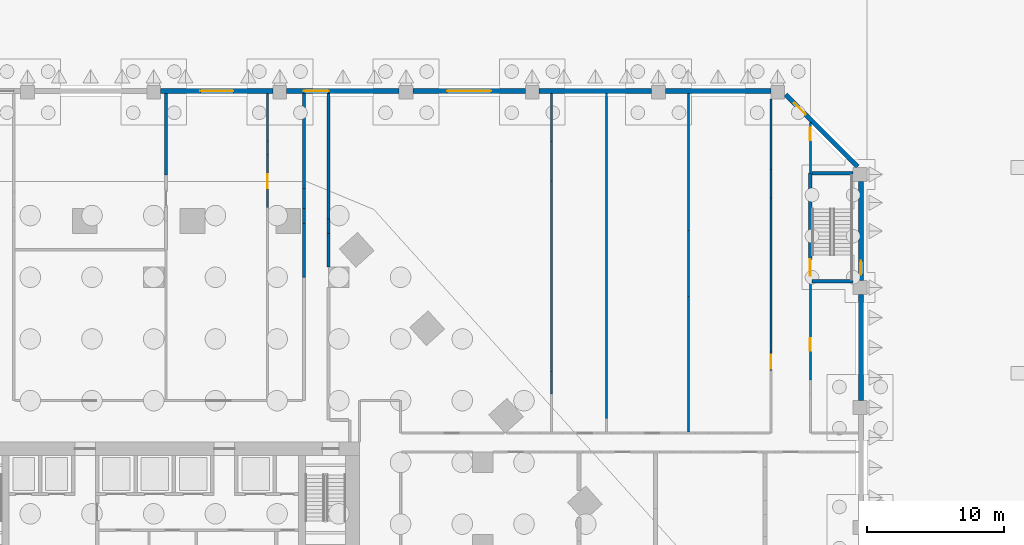
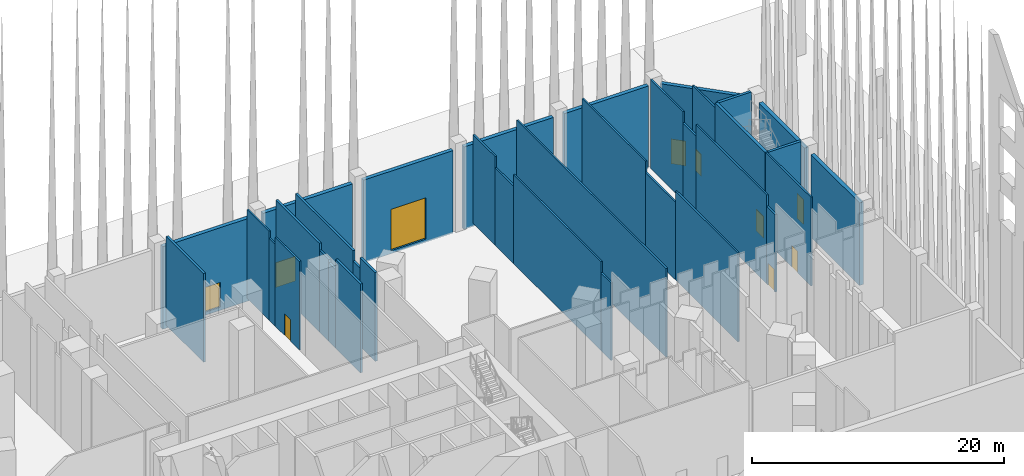
# One storey, part 15 of 32: 36 walls, 10 doors, 10 openings.
"""IFC4 building model written with IfcOpenShell, lengths in metres."""

from ifc_helpers import new_model, si_unit, direction, frame, frame_2d, origin, place, context, subcontext, project, spatial, rectangle, extrude, material, layer, layer_set, type_object, element, fill, save


model = new_model("IFC4")

# Units and contexts
model_context = context("Model", 3, precision=1e-05, world=origin(), true_north=direction((0.0, 1.0)))
body_context = subcontext(model_context, "Body", "Model", "MODEL_VIEW")
ifc_project = project(units=[si_unit("LENGTHUNIT", "METRE"), si_unit("AREAUNIT", "SQUARE_METRE"), si_unit("VOLUMEUNIT", "CUBIC_METRE"), si_unit("PLANEANGLEUNIT", "RADIAN"), si_unit("MASSUNIT", "GRAM", prefix="KILO")], contexts=[model_context])

# Site, building, storey
site_placement = place(None, origin())
site = spatial("IfcSite", under=ifc_project, at=site_placement, CompositionType="ELEMENT")
building_placement = place(site_placement, origin())
building = spatial("IfcBuilding", under=site, at=building_placement, Name="Isthmus Gate Tower", CompositionType="ELEMENT")
storey_placement = place(building_placement, origin())
storey = spatial("IfcBuildingStorey", under=building, at=storey_placement, Name="L00", CompositionType="ELEMENT", Elevation=0.0)

# Walls
ifc_material_1 = material(Name="Concrete f'c 30 MPa", Category="concrete")
ifc_layer_1 = layer(ifc_material_1, 0.199951171875)
ifc_layer_set_1 = layer_set([ifc_layer_1], Name="Fire-rated block wall 200")
wall_type_1 = type_object("IfcWallType", Name="Fire-rated block wall 200", PredefinedType="PARTITIONING", material=ifc_layer_set_1)
wall_1_placement = place(storey_placement, frame((0.89990234375, 34.453125, 0.0), z_axis=(0.0, 0.0, 1.0), x_axis=(0.0, 1.0, 0.0)))
element("IfcWall", 1, at=wall_1_placement, inside=storey, type_object=wall_type_1, Name="Fire-rated wall", PredefinedType="PARTITIONING", context=body_context, shape_type="SweptSolid", body=[
    extrude(rectangle(XDim=5.94677734375, YDim=0.199951171875, at=frame_2d((2.973388671875, 0.0))), origin(), (0.0, 0.0, 1.0), 8.60009765625),
])
wall_2_placement = place(storey_placement, frame((10.949951171875, 26.972900390625, 0.0), z_axis=(0.0, 0.0, 1.0), x_axis=(0.0, 1.0, 0.0)))
element("IfcWall", 2, at=wall_2_placement, inside=storey, type_object=wall_type_1, Name="Fire-rated wall", PredefinedType="PARTITIONING", context=body_context, shape_type="SweptSolid", body=[
    extrude(rectangle(XDim=3.94921875, YDim=0.199951171875, at=frame_2d((1.974609375, 0.0))), origin(), (0.0, 0.0, 1.0), 8.60009765625),
])
wall_3_placement = place(storey_placement, frame((10.949951171875, 30.922119140625, 0.0), z_axis=(0.0, 0.0, 1.0), x_axis=(0.0, 1.0, 0.0)))
element("IfcWall", 3, at=wall_3_placement, inside=storey, type_object=wall_type_1, Name="Fire-rated wall", PredefinedType="PARTITIONING", context=body_context, shape_type="SweptSolid", body=[
    extrude(rectangle(XDim=1.0830078125, YDim=0.199951171875, at=frame_2d((0.54150390625, 0.0))), origin(), (0.0, 0.0, 1.0), 7.60009765625),
])
wall_4_placement = place(storey_placement, frame((10.949951171875, 32.005126953125, 0.0), z_axis=(0.0, 0.0, 1.0), x_axis=(0.0, 1.0, 0.0)))
element("IfcWall", 4, at=wall_4_placement, inside=storey, type_object=wall_type_1, Name="Fire-rated wall", PredefinedType="PARTITIONING", context=body_context, shape_type="SweptSolid", body=[
    extrude(rectangle(XDim=1.46337890625, YDim=0.199951171875, at=frame_2d((0.731689453125, 0.0))), origin(), (0.0, 0.0, 1.0), 7.920654296875),
])
wall_5_placement = place(storey_placement, frame((10.949951171875, 33.468505859375, 0.0), z_axis=(0.0, 0.0, 1.0), x_axis=(0.0, 1.0, 0.0)))
element("IfcWall", 5, at=wall_5_placement, inside=storey, type_object=wall_type_1, Name="Fire-rated wall", PredefinedType="PARTITIONING", context=body_context, shape_type="SweptSolid", body=[
    extrude(rectangle(XDim=6.931396484375, YDim=0.199951171875, at=frame_2d((3.4658203125, 0.0))), origin(), (0.0, 0.0, 1.0), 8.60009765625),
])
wall_6_placement = place(storey_placement, frame((12.75, 27.75, 0.0), z_axis=(0.0, 0.0, 1.0), x_axis=(0.0, 1.0, 0.0)))
element("IfcWall", 6, at=wall_6_placement, inside=storey, type_object=wall_type_1, Name="Fire-rated wall", PredefinedType="PARTITIONING", context=body_context, shape_type="SweptSolid", body=[
    extrude(rectangle(XDim=2.423583984375, YDim=0.199951171875, at=frame_2d((1.2119140625, 0.0))), origin(), (0.0, 0.0, 1.0), 8.60009765625),
])
wall_7_placement = place(storey_placement, frame((12.75, 30.173583984375, 0.0), z_axis=(0.0, 0.0, 1.0), x_axis=(0.0, 1.0, 0.0)))
element("IfcWall", 7, at=wall_7_placement, inside=storey, type_object=wall_type_1, Name="Fire-rated wall", PredefinedType="PARTITIONING", context=body_context, shape_type="SweptSolid", body=[
    extrude(rectangle(XDim=1.0830078125, YDim=0.199951171875, at=frame_2d((0.54150390625, 0.0))), origin(), (0.0, 0.0, 1.0), 7.60009765625),
])
wall_8_placement = place(storey_placement, frame((12.75, 31.256591796875, 0.0), z_axis=(0.0, 0.0, 1.0), x_axis=(0.0, 1.0, 0.0)))
element("IfcWall", 8, at=wall_8_placement, inside=storey, type_object=wall_type_1, Name="Fire-rated wall", PredefinedType="PARTITIONING", context=body_context, shape_type="SweptSolid", body=[
    extrude(rectangle(XDim=9.143310546875, YDim=0.199951171875, at=frame_2d((4.57177734375, 0.0))), origin(), (0.0, 0.0, 1.0), 8.60009765625),
])

# Wall, opening, door
ifc_material_2 = material(Name="Fire-rated gypsum board on steel studs", Category="steel")
ifc_layer_2 = layer(ifc_material_2, 0.14990234375)
ifc_layer_set_2 = layer_set([ifc_layer_2], Name="Fire-rated partition 150 EI 60")
wall_type_2 = type_object("IfcWallType", Name="Fire-rated partition 150 EI 60", PredefinedType="PARTITIONING", material=ifc_layer_set_2)
wall_9_placement = place(storey_placement, frame((45.0, 20.189208984375, 0.0), z_axis=(0.0, 0.0, 1.0), x_axis=(0.0, 1.0, 0.0)))
wall_9 = element("IfcWall", 9, at=wall_9_placement, inside=storey, type_object=wall_type_2, Name="Fire-rated partition", PredefinedType="PARTITIONING", context=body_context, shape_type="SweptSolid", body=[
    extrude(rectangle(XDim=1.344482421875, YDim=0.14990234375, at=frame_2d((0.67236328125, 0.0))), origin(), (0.0, 0.0, 1.0), 7.510986328125),
])
opening_1_placement = place(wall_9_placement, frame((0.14990234375, 0.0, 0.0)))
opening_1 = element("IfcOpeningElement", 10, at=opening_1_placement, cuts=wall_9, Name="Opening DP00-37", PredefinedType="OPENING", context=body_context, shape_type="SweptSolid", body=[
    extrude(rectangle(XDim=1.0, YDim=2.10009765625, at=frame_2d((0.5, 1.050048828125))), frame((0.0, 0.0849609375, 0.0), z_axis=(0.0, -1.0, 0.0), x_axis=(1.0, 0.0, 0.0)), (0.0, 0.0, 1.0), 0.169921875),
])
ifc_material_3 = material(Name="Steel fire door with intumescent seals", Category="steel")
door_type_1 = type_object("IfcDoorType", Name="Fire door 1000 x 2100", OperationType="SINGLE_SWING_LEFT", PredefinedType="DOOR", material=ifc_material_3)
door_1_placement = place(opening_1_placement, origin())
door_1 = element("IfcDoor", 11, at=door_1_placement, inside=storey, type_object=door_type_1, Name="Door DP00-37", OperationType="SINGLE_SWING_LEFT", OverallHeight=2.10009765625, OverallWidth=1.0, PredefinedType="DOOR", context=body_context, shape_type="SweptSolid", body=[
    extrude(rectangle(XDim=1.0, YDim=2.10009765625, at=frame_2d((0.5, 1.050048828125))), frame((0.0, 0.02490234375, 0.0), z_axis=(0.0, -1.0, 0.0), x_axis=(1.0, 0.0, 0.0)), (0.0, 0.0, 1.0), 0.050048828125),
])
fill(opening_1, door_1)

# Walls
wall_10_placement = place(storey_placement, frame((45.0, 21.53369140625, 0.0), z_axis=(0.0, 0.0, 1.0), x_axis=(0.0, 1.0, 0.0)))
element("IfcWall", 12, at=wall_10_placement, inside=storey, type_object=wall_type_2, Name="Fire-rated partition", PredefinedType="PARTITIONING", context=body_context, shape_type="SweptSolid", body=[
    extrude(rectangle(XDim=11.234375, YDim=0.14990234375, at=frame_2d((5.6171875, 0.0))), origin(), (0.0, 0.0, 1.0), 8.60009765625),
])
wall_11_placement = place(storey_placement, frame((45.0, 32.76806640625, 0.0), z_axis=(0.0, 0.0, 1.0), x_axis=(0.0, 1.0, 0.0)))
element("IfcWall", 13, at=wall_11_placement, inside=storey, type_object=wall_type_2, Name="Fire-rated partition", PredefinedType="PARTITIONING", context=body_context, shape_type="SweptSolid", body=[
    extrude(rectangle(XDim=2.07568359375, YDim=0.14990234375, at=frame_2d((1.037841796875, 0.0))), origin(), (0.0, 0.0, 1.0), 7.510986328125),
])
wall_12_placement = place(storey_placement, frame((45.0, 34.84375, 0.0), z_axis=(0.0, 0.0, 1.0), x_axis=(0.0, 1.0, 0.0)))
element("IfcWall", 14, at=wall_12_placement, inside=storey, type_object=wall_type_2, Name="Fire-rated partition", PredefinedType="PARTITIONING", context=body_context, shape_type="SweptSolid", body=[
    extrude(rectangle(XDim=5.15625, YDim=0.14990234375, at=frame_2d((2.578125, 0.0))), origin(), (0.0, 0.0, 1.0), 8.60009765625),
])

# Wall, opening, door
wall_13_placement = place(storey_placement, frame((47.875, 19.49658203125, 0.0), z_axis=(0.0, 0.0, 1.0), x_axis=(0.0, 1.0, 0.0)))
wall_13 = element("IfcWall", 15, at=wall_13_placement, inside=storey, type_object=wall_type_2, Name="Fire-rated partition", PredefinedType="PARTITIONING", context=body_context, shape_type="SweptSolid", body=[
    extrude(rectangle(XDim=7.203369140625, YDim=0.14990234375, at=frame_2d((3.6015625, 0.0))), origin(), (0.0, 0.0, 1.0), 8.60009765625),
])
opening_2_placement = place(wall_13_placement, frame((2.14990234375, 0.0, 0.0)))
opening_2 = element("IfcOpeningElement", 16, at=opening_2_placement, cuts=wall_13, Name="Opening DP00-05", PredefinedType="OPENING", context=body_context, shape_type="SweptSolid", body=[
    extrude(rectangle(XDim=0.89990234375, YDim=2.10009765625, at=frame_2d((0.449951171875, 1.050048828125))), frame((0.0, 0.0849609375, 0.0), z_axis=(0.0, -1.0, 0.0), x_axis=(1.0, 0.0, 0.0)), (0.0, 0.0, 1.0), 0.169921875),
])
ifc_material_4 = material(Name="Steel fire door with intumescent seals", Category="steel")
door_type_2 = type_object("IfcDoorType", Name="Fire door 900 x 2100", OperationType="SINGLE_SWING_LEFT", PredefinedType="DOOR", material=ifc_material_4)
door_2_placement = place(opening_2_placement, frame((0.89990234375, 0.0, 0.0), z_axis=(0.0, 0.0, 1.0), x_axis=(-1.0, 0.0, 0.0)))
door_2 = element("IfcDoor", 17, at=door_2_placement, inside=storey, type_object=door_type_2, Name="Door DP00-05", OperationType="SINGLE_SWING_LEFT", OverallHeight=2.10009765625, OverallWidth=0.89990234375, PredefinedType="DOOR", context=body_context, shape_type="SweptSolid", body=[
    extrude(rectangle(XDim=0.89990234375, YDim=2.10009765625, at=frame_2d((0.449951171875, 1.050048828125))), frame((0.0, 0.02490234375, 0.0), z_axis=(0.0, -1.0, 0.0), x_axis=(1.0, 0.0, 0.0)), (0.0, 0.0, 1.0), 0.050048828125),
])
fill(opening_2, door_2)

wall_14_placement = place(storey_placement, frame((47.875, 34.60009765625, 0.0), z_axis=(0.0, 0.0, 1.0), x_axis=(0.0, 1.0, 0.0)))
wall_14 = element("IfcWall", 18, at=wall_14_placement, inside=storey, type_object=wall_type_2, Name="Fire-rated partition", PredefinedType="PARTITIONING", context=body_context, shape_type="SweptSolid", body=[
    extrude(rectangle(XDim=3.676513671875, YDim=0.14990234375, at=frame_2d((1.83837890625, 0.0))), origin(), (0.0, 0.0, 1.0), 8.066650390625),
])
opening_3_placement = place(wall_14_placement, frame((2.39990234375, 0.0, 0.0)))
opening_3 = element("IfcOpeningElement", 19, at=opening_3_placement, cuts=wall_14, Name="Opening DP00-06", PredefinedType="OPENING", context=body_context, shape_type="SweptSolid", body=[
    extrude(rectangle(XDim=0.89990234375, YDim=2.10009765625, at=frame_2d((0.449951171875, 1.050048828125))), frame((0.0, 0.0849609375, 0.0), z_axis=(0.0, -1.0, 0.0), x_axis=(1.0, 0.0, 0.0)), (0.0, 0.0, 1.0), 0.169921875),
])
door_3_placement = place(opening_3_placement, frame((0.89990234375, 0.0, 0.0), z_axis=(0.0, 0.0, 1.0), x_axis=(-1.0, 0.0, 0.0)))
door_3 = element("IfcDoor", 20, at=door_3_placement, inside=storey, type_object=door_type_2, Name="Door DP00-06", OperationType="SINGLE_SWING_LEFT", OverallHeight=2.10009765625, OverallWidth=0.89990234375, PredefinedType="DOOR", context=body_context, shape_type="SweptSolid", body=[
    extrude(rectangle(XDim=0.89990234375, YDim=2.10009765625, at=frame_2d((0.449951171875, 1.050048828125))), frame((0.0, 0.02490234375, 0.0), z_axis=(0.0, -1.0, 0.0), x_axis=(1.0, 0.0, 0.0)), (0.0, 0.0, 1.0), 0.050048828125),
])
fill(opening_3, door_3)

# Wall
ifc_material_5 = material(Name="Precast concrete C40/50, limestone-faced", Category="masonry")
ifc_layer_3 = layer(ifc_material_5, 0.35009765625)
ifc_layer_set_3 = layer_set([ifc_layer_3], Name="PODIUM CLADDING WALL 350")
wall_type_3 = type_object("IfcWallType", Name="PODIUM CLADDING WALL 350", PredefinedType="SOLIDWALL", material=ifc_layer_set_3)
wall_15_placement = place(storey_placement, frame((51.574951171875, 18.0, -0.300048828125), z_axis=(0.0, 0.0, 1.0), x_axis=(0.0, 1.0, 0.0)))
element("IfcWall", 21, at=wall_15_placement, inside=storey, type_object=wall_type_3, Name="PODIUM WALL", PredefinedType="SOLIDWALL", context=body_context, shape_type="SweptSolid", body=[
    extrude(rectangle(XDim=7.75, YDim=0.35009765625, at=frame_2d((3.875, 0.0))), origin(), (0.0, 0.0, 1.0), 8.0),
])

# Wall, opening, door
wall_16_placement = place(storey_placement, frame((51.574951171875, 26.75, -0.300048828125), z_axis=(0.0, 0.0, 1.0), x_axis=(0.0, 1.0, 0.0)))
wall_16 = element("IfcWall", 22, at=wall_16_placement, inside=storey, type_object=wall_type_3, Name="PODIUM WALL", PredefinedType="SOLIDWALL", context=body_context, shape_type="SweptSolid", body=[
    extrude(rectangle(XDim=7.25, YDim=0.35009765625, at=frame_2d((3.625, 0.0))), origin(), (0.0, 0.0, 1.0), 8.0),
])
opening_4_placement = place(wall_16_placement, frame((0.449951171875, 0.0, 0.300048828125)))
opening_4 = element("IfcOpeningElement", 23, at=opening_4_placement, cuts=wall_16, Name="Opening DE00-13", PredefinedType="OPENING", context=body_context, shape_type="SweptSolid", body=[
    extrude(rectangle(XDim=1.0, YDim=2.39990234375, at=frame_2d((0.5, 1.199951171875))), frame((0.0, 0.18505859375, 0.0), z_axis=(0.0, -1.0, 0.0), x_axis=(1.0, 0.0, 0.0)), (0.0, 0.0, 1.0), 0.3701171875),
])
ifc_material_6 = material(Name="Galvanised steel, powder-coated", Category="steel")
door_type_3 = type_object("IfcDoorType", Name="STAIR EXIT FIRE DOOR 1000 X 2400", OperationType="SINGLE_SWING_LEFT", PredefinedType="DOOR", material=ifc_material_6)
door_4_placement = place(opening_4_placement, frame((1.0, 0.0, 0.0), z_axis=(0.0, 0.0, 1.0), x_axis=(-1.0, 0.0, 0.0)))
door_4 = element("IfcDoor", 24, at=door_4_placement, inside=storey, type_object=door_type_3, Name="DOOR DE00-13", OperationType="SINGLE_SWING_LEFT", OverallHeight=2.39990234375, OverallWidth=1.0, PredefinedType="DOOR", context=body_context, shape_type="SweptSolid", body=[
    extrude(rectangle(XDim=1.0, YDim=2.39990234375, at=frame_2d((0.5, 1.199951171875))), frame((0.0, 0.02490234375, 0.0), z_axis=(0.0, -1.0, 0.0), x_axis=(1.0, 0.0, 0.0)), (0.0, 0.0, 1.0), 0.050048828125),
])
fill(opening_4, door_4)

wall_17_placement = place(storey_placement, frame((51.327392578125, 35.071533203125, -0.300048828125), z_axis=(0.0, 0.0, 1.0), x_axis=(-0.707106781187, 0.707106781187, 0.0)))
wall_17 = element("IfcWall", 25, at=wall_17_placement, inside=storey, type_object=wall_type_3, Name="PODIUM WALL", PredefinedType="SOLIDWALL", context=body_context, shape_type="SweptSolid", body=[
    extrude(rectangle(XDim=7.432861328125, YDim=0.35009765625, at=frame_2d((3.71630859375, 0.0))), origin(), (0.0, 0.0, 1.0), 8.0),
])
opening_5_placement = place(wall_17_placement, frame((5.37939453125, 0.0, 0.300048828125)))
opening_5 = element("IfcOpeningElement", 26, at=opening_5_placement, cuts=wall_17, Name="Opening DE00-16", PredefinedType="OPENING", context=body_context, shape_type="SweptSolid", body=[
    extrude(rectangle(XDim=1.199951171875, YDim=2.39990234375, at=frame_2d((0.60009765625, 1.199951171875))), frame((0.0, 0.18505859375, 0.0), z_axis=(0.0, -1.0, 0.0), x_axis=(1.0, 0.0, 0.0)), (0.0, 0.0, 1.0), 0.3701171875),
])
ifc_material_7 = material(Name="Galvanised steel, powder-coated", Category="steel")
door_type_4 = type_object("IfcDoorType", Name="STAIR EXIT FIRE DOOR 1200 X 2400", OperationType="SINGLE_SWING_LEFT", PredefinedType="DOOR", material=ifc_material_7)
door_5_placement = place(opening_5_placement, frame((1.199951171875, 0.0, 0.0), z_axis=(0.0, 0.0, 1.0), x_axis=(-1.0, 0.0, 0.0)))
door_5 = element("IfcDoor", 27, at=door_5_placement, inside=storey, type_object=door_type_4, Name="DOOR DE00-16", OperationType="SINGLE_SWING_LEFT", OverallHeight=2.39990234375, OverallWidth=1.199951171875, PredefinedType="DOOR", context=body_context, shape_type="SweptSolid", body=[
    extrude(rectangle(XDim=1.199951171875, YDim=2.39990234375, at=frame_2d((0.60009765625, 1.199951171875))), frame((0.0, 0.02490234375, 0.0), z_axis=(0.0, -1.0, 0.0), x_axis=(1.0, 0.0, 0.0)), (0.0, 0.0, 1.0), 0.050048828125),
])
fill(opening_5, door_5)

# Walls
wall_18_placement = place(storey_placement, frame((45.0, 40.574951171875, -0.300048828125), z_axis=(0.0, 0.0, 1.0), x_axis=(-1.0, 0.0, 0.0)))
element("IfcWall", 28, at=wall_18_placement, inside=storey, type_object=wall_type_3, Name="PODIUM WALL", PredefinedType="SOLIDWALL", context=body_context, shape_type="SweptSolid", body=[
    extrude(rectangle(XDim=7.699951171875, YDim=0.35009765625, at=frame_2d((3.85009765625, 0.0))), origin(), (0.0, 0.0, 1.0), 8.0),
])
wall_19_placement = place(storey_placement, frame((36.300048828125, 40.574951171875, -0.300048828125), z_axis=(0.0, 0.0, 1.0), x_axis=(-1.0, 0.0, 0.0)))
element("IfcWall", 29, at=wall_19_placement, inside=storey, type_object=wall_type_3, Name="PODIUM WALL", PredefinedType="SOLIDWALL", context=body_context, shape_type="SweptSolid", body=[
    extrude(rectangle(XDim=8.199951171875, YDim=0.35009765625, at=frame_2d((4.10009765625, 0.0))), origin(), (0.0, 0.0, 1.0), 8.0),
])

# Wall, opening, door
wall_20_placement = place(storey_placement, frame((27.10009765625, 40.574951171875, -0.300048828125), z_axis=(0.0, 0.0, 1.0), x_axis=(-1.0, 0.0, 0.0)))
wall_20 = element("IfcWall", 30, at=wall_20_placement, inside=storey, type_object=wall_type_3, Name="PODIUM WALL", PredefinedType="SOLIDWALL", context=body_context, shape_type="SweptSolid", body=[
    extrude(rectangle(XDim=8.2001953125, YDim=0.35009765625, at=frame_2d((4.10009765625, 0.0))), origin(), (0.0, 0.0, 1.0), 8.0),
])
opening_6_placement = place(wall_20_placement, frame((2.5, 0.0, 0.300048828125)))
opening_6 = element("IfcOpeningElement", 31, at=opening_6_placement, cuts=wall_20, Name="Opening DE00-06", PredefinedType="OPENING", context=body_context, shape_type="SweptSolid", body=[
    extrude(rectangle(XDim=3.199951171875, YDim=4.0, at=frame_2d((1.60009765625, 2.0))), frame((0.0, 0.18505859375, 0.0), z_axis=(0.0, -1.0, 0.0), x_axis=(1.0, 0.0, 0.0)), (0.0, 0.0, 1.0), 0.3701171875),
])
ifc_material_8 = material(Name="Galvanised steel, powder-coated", Category="steel")
door_type_5 = type_object("IfcDoorType", Name="ROLLER SHUTTER DOOR 3200 X 4000", OperationType="ROLLINGUP", PredefinedType="GATE", material=ifc_material_8)
door_6_placement = place(opening_6_placement, origin())
door_6 = element("IfcDoor", 32, at=door_6_placement, inside=storey, type_object=door_type_5, Name="DOOR DE00-06", OperationType="ROLLINGUP", OverallHeight=4.0, OverallWidth=3.199951171875, PredefinedType="GATE", context=body_context, shape_type="SweptSolid", body=[
    extrude(rectangle(XDim=3.199951171875, YDim=4.0, at=frame_2d((1.60009765625, 2.0))), frame((0.0, 0.02490234375, 0.0), z_axis=(0.0, -1.0, 0.0), x_axis=(1.0, 0.0, 0.0)), (0.0, 0.0, 1.0), 0.050048828125),
])
fill(opening_6, door_6)

wall_21_placement = place(storey_placement, frame((17.89990234375, 40.574951171875, -0.300048828125), z_axis=(0.0, 0.0, 1.0), x_axis=(-1.0, 0.0, 0.0)))
wall_21 = element("IfcWall", 33, at=wall_21_placement, inside=storey, type_object=wall_type_3, Name="PODIUM WALL", PredefinedType="SOLIDWALL", context=body_context, shape_type="SweptSolid", body=[
    extrude(rectangle(XDim=8.199951171875, YDim=0.35009765625, at=frame_2d((4.10009765625, 0.0))), origin(), (0.0, 0.0, 1.0), 8.0),
])
opening_7_placement = place(wall_21_placement, frame((5.14990234375, 0.0, 0.300048828125)))
opening_7 = element("IfcOpeningElement", 34, at=opening_7_placement, cuts=wall_21, Name="Opening DE00-09", PredefinedType="OPENING", context=body_context, shape_type="SweptSolid", body=[
    extrude(rectangle(XDim=1.800048828125, YDim=2.39990234375, at=frame_2d((0.89990234375, 1.199951171875))), frame((0.0, 0.18505859375, 0.0), z_axis=(0.0, -1.0, 0.0), x_axis=(1.0, 0.0, 0.0)), (0.0, 0.0, 1.0), 0.3701171875),
])
ifc_material_9 = material(Name="Galvanised steel, powder-coated", Category="steel")
door_type_6 = type_object("IfcDoorType", Name="STAIR EXIT FIRE DOOR 1800 X 2400", OperationType="SINGLE_SWING_LEFT", PredefinedType="DOOR", material=ifc_material_9)
door_7_placement = place(opening_7_placement, frame((1.800048828125, 0.0, 0.0), z_axis=(0.0, 0.0, 1.0), x_axis=(-1.0, 0.0, 0.0)))
door_7 = element("IfcDoor", 35, at=door_7_placement, inside=storey, type_object=door_type_6, Name="DOOR DE00-09", OperationType="SINGLE_SWING_LEFT", OverallHeight=2.39990234375, OverallWidth=1.800048828125, PredefinedType="DOOR", context=body_context, shape_type="SweptSolid", body=[
    extrude(rectangle(XDim=1.800048828125, YDim=2.39990234375, at=frame_2d((0.89990234375, 1.199951171875))), frame((0.0, 0.02490234375, 0.0), z_axis=(0.0, -1.0, 0.0), x_axis=(1.0, 0.0, 0.0)), (0.0, 0.0, 1.0), 0.050048828125),
])
fill(opening_7, door_7)

wall_22_placement = place(storey_placement, frame((8.699951171875, 40.574951171875, -0.300048828125), z_axis=(0.0, 0.0, 1.0), x_axis=(-1.0, 0.0, 0.0)))
wall_22 = element("IfcWall", 36, at=wall_22_placement, inside=storey, type_object=wall_type_3, Name="PODIUM WALL", PredefinedType="SOLIDWALL", context=body_context, shape_type="SweptSolid", body=[
    extrude(rectangle(XDim=8.199951171875, YDim=0.35009765625, at=frame_2d((4.10009765625, 0.0))), origin(), (0.0, 0.0, 1.0), 8.0),
])
opening_8_placement = place(wall_22_placement, frame((2.89990234375, 0.0, 0.300048828125)))
opening_8 = element("IfcOpeningElement", 37, at=opening_8_placement, cuts=wall_22, Name="Opening DE00-10", PredefinedType="OPENING", context=body_context, shape_type="SweptSolid", body=[
    extrude(rectangle(XDim=2.39990234375, YDim=2.39990234375, at=frame_2d((1.199951171875, 1.199951171875))), frame((0.0, 0.18505859375, 0.0), z_axis=(0.0, -1.0, 0.0), x_axis=(1.0, 0.0, 0.0)), (0.0, 0.0, 1.0), 0.3701171875),
])
ifc_material_10 = material(Name="Aluminium and laminated glass", Category="aluminium")
door_type_7 = type_object("IfcDoorType", Name="AUTOMATIC SLIDING DOOR 2400 X 2400", OperationType="DOUBLE_DOOR_SLIDING", PredefinedType="DOOR", material=ifc_material_10)
door_8_placement = place(opening_8_placement, origin())
door_8 = element("IfcDoor", 38, at=door_8_placement, inside=storey, type_object=door_type_7, Name="DOOR DE00-10", OperationType="DOUBLE_DOOR_SLIDING", OverallHeight=2.39990234375, OverallWidth=2.39990234375, PredefinedType="DOOR", context=body_context, shape_type="SweptSolid", body=[
    extrude(rectangle(XDim=2.39990234375, YDim=2.39990234375, at=frame_2d((1.199951171875, 1.199951171875))), frame((0.0, 0.02490234375, 0.0), z_axis=(0.0, -1.0, 0.0), x_axis=(1.0, 0.0, 0.0)), (0.0, 0.0, 1.0), 0.050048828125),
])
fill(opening_8, door_8)

ifc_material_11 = material(Name="Gypsum board on cold-formed steel studs", Category="steel")
ifc_layer_4 = layer(ifc_material_11, 0.14990234375)
ifc_layer_set_4 = layer_set([ifc_layer_4])
wall_type_4 = type_object("IfcWallType", Name="Partition 150 gypsum board on steel studs", PredefinedType="PARTITIONING", material=ifc_layer_set_4)
wall_23_placement = place(storey_placement, frame((8.300048828125, 32.10009765625, 0.0), z_axis=(0.0, 0.0, 1.0), x_axis=(0.0, 1.0, 0.0)))
wall_23 = element("IfcWall", 39, at=wall_23_placement, inside=storey, type_object=wall_type_4, Name="Partition", PredefinedType="PARTITIONING", context=body_context, shape_type="SweptSolid", body=[
    extrude(rectangle(XDim=3.8447265625, YDim=0.14990234375, at=frame_2d((1.92236328125, 0.0))), origin(), (0.0, 0.0, 1.0), 8.60009765625),
])
opening_9_placement = place(wall_23_placement, frame((1.39990234375, 0.0, 0.0)))
opening_9 = element("IfcOpeningElement", 40, at=opening_9_placement, cuts=wall_23, Name="Opening DP00-33", PredefinedType="OPENING", context=body_context, shape_type="SweptSolid", body=[
    extrude(rectangle(XDim=1.0, YDim=2.10009765625, at=frame_2d((0.5, 1.050048828125))), frame((0.0, 0.0849609375, 0.0), z_axis=(0.0, -1.0, 0.0), x_axis=(1.0, 0.0, 0.0)), (0.0, 0.0, 1.0), 0.169921875),
])
ifc_material_12 = material(Name="Hollow metal frame with solid-core timber leaf", Category="wood")
door_type_8 = type_object("IfcDoorType", Name="Single swing door 1000 x 2100", OperationType="SINGLE_SWING_LEFT", PredefinedType="DOOR", material=ifc_material_12)
door_9_placement = place(opening_9_placement, origin())
door_9 = element("IfcDoor", 41, at=door_9_placement, inside=storey, type_object=door_type_8, Name="Door DP00-33", OperationType="SINGLE_SWING_LEFT", OverallHeight=2.10009765625, OverallWidth=1.0, PredefinedType="DOOR", context=body_context, shape_type="SweptSolid", body=[
    extrude(rectangle(XDim=1.0, YDim=2.10009765625, at=frame_2d((0.5, 1.050048828125))), frame((0.0, 0.02490234375, 0.0), z_axis=(0.0, -1.0, 0.0), x_axis=(1.0, 0.0, 0.0)), (0.0, 0.0, 1.0), 0.050048828125),
])
fill(opening_9, door_9)

# Walls
wall_24_placement = place(storey_placement, frame((8.300048828125, 35.94482421875, 0.0), z_axis=(0.0, 0.0, 1.0), x_axis=(0.0, 1.0, 0.0)))
element("IfcWall", 42, at=wall_24_placement, inside=storey, type_object=wall_type_4, Name="Partition", PredefinedType="PARTITIONING", context=body_context, shape_type="SweptSolid", body=[
    extrude(rectangle(XDim=1.0, YDim=0.14990234375, at=frame_2d((0.5, 0.0))), origin(), (0.0, 0.0, 1.0), 7.920654296875),
])
wall_25_placement = place(storey_placement, frame((8.300048828125, 36.94482421875, 0.0), z_axis=(0.0, 0.0, 1.0), x_axis=(0.0, 1.0, 0.0)))
element("IfcWall", 43, at=wall_25_placement, inside=storey, type_object=wall_type_4, Name="Partition", PredefinedType="PARTITIONING", context=body_context, shape_type="SweptSolid", body=[
    extrude(rectangle(XDim=3.455078125, YDim=0.14990234375, at=frame_2d((1.7275390625, 0.0))), origin(), (0.0, 0.0, 1.0), 8.60009765625),
])
wall_26_placement = place(storey_placement, frame((29.0, 18.5, 0.0), z_axis=(0.0, 0.0, 1.0), x_axis=(0.0, 1.0, 0.0)))
element("IfcWall", 44, at=wall_26_placement, inside=storey, type_object=wall_type_4, Name="Partition", PredefinedType="PARTITIONING", context=body_context, shape_type="SweptSolid", body=[
    extrude(rectangle(XDim=1.627197265625, YDim=0.14990234375, at=frame_2d((0.8134765625, 0.0))), origin(), (0.0, 0.0, 1.0), 7.510986328125),
])
wall_27_placement = place(storey_placement, frame((29.0, 20.127197265625, 0.0), z_axis=(0.0, 0.0, 1.0), x_axis=(0.0, 1.0, 0.0)))
element("IfcWall", 45, at=wall_27_placement, inside=storey, type_object=wall_type_4, Name="Partition", PredefinedType="PARTITIONING", context=body_context, shape_type="SweptSolid", body=[
    extrude(rectangle(XDim=13.890869140625, YDim=0.14990234375, at=frame_2d((6.9453125, 0.0))), origin(), (0.0, 0.0, 1.0), 8.60009765625),
])
wall_28_placement = place(storey_placement, frame((29.0, 34.01806640625, 0.0), z_axis=(0.0, 0.0, 1.0), x_axis=(0.0, 1.0, 0.0)))
element("IfcWall", 46, at=wall_28_placement, inside=storey, type_object=wall_type_4, Name="Partition", PredefinedType="PARTITIONING", context=body_context, shape_type="SweptSolid", body=[
    extrude(rectangle(XDim=2.888671875, YDim=0.14990234375, at=frame_2d((1.4443359375, 0.0))), origin(), (0.0, 0.0, 1.0), 7.510986328125),
])
wall_29_placement = place(storey_placement, frame((29.0, 36.90673828125, 0.0), z_axis=(0.0, 0.0, 1.0), x_axis=(0.0, 1.0, 0.0)))
element("IfcWall", 47, at=wall_29_placement, inside=storey, type_object=wall_type_4, Name="Partition", PredefinedType="PARTITIONING", context=body_context, shape_type="SweptSolid", body=[
    extrude(rectangle(XDim=3.4931640625, YDim=0.14990234375, at=frame_2d((1.74658203125, 0.0))), origin(), (0.0, 0.0, 1.0), 8.60009765625),
])
wall_30_placement = place(storey_placement, frame((33.0, 16.7041015625, 0.0), z_axis=(0.0, 0.0, 1.0), x_axis=(0.0, 1.0, 0.0)))
element("IfcWall", 48, at=wall_30_placement, inside=storey, type_object=wall_type_4, Name="Partition", PredefinedType="PARTITIONING", context=body_context, shape_type="SweptSolid", body=[
    extrude(rectangle(XDim=23.69580078125, YDim=0.14990234375, at=frame_2d((11.847900390625, 0.0))), origin(), (0.0, 0.0, 1.0), 8.60009765625),
])
wall_31_placement = place(storey_placement, frame((39.0, 15.7041015625, 0.0), z_axis=(0.0, 0.0, 1.0), x_axis=(0.0, 1.0, 0.0)))
element("IfcWall", 49, at=wall_31_placement, inside=storey, type_object=wall_type_4, Name="Partition", PredefinedType="PARTITIONING", context=body_context, shape_type="SweptSolid", body=[
    extrude(rectangle(XDim=9.903076171875, YDim=0.14990234375, at=frame_2d((4.95166015625, 0.0))), origin(), (0.0, 0.0, 1.0), 8.60009765625),
])
wall_32_placement = place(storey_placement, frame((39.0, 25.607177734375, 0.0), z_axis=(0.0, 0.0, 1.0), x_axis=(0.0, 1.0, 0.0)))
element("IfcWall", 50, at=wall_32_placement, inside=storey, type_object=wall_type_4, Name="Partition", PredefinedType="PARTITIONING", context=body_context, shape_type="SweptSolid", body=[
    extrude(rectangle(XDim=4.7958984375, YDim=0.14990234375, at=frame_2d((2.39794921875, 0.0))), origin(), (0.0, 0.0, 1.0), 7.510986328125),
])
wall_33_placement = place(storey_placement, frame((39.0, 30.403076171875, 0.0), z_axis=(0.0, 0.0, 1.0), x_axis=(0.0, 1.0, 0.0)))
element("IfcWall", 51, at=wall_33_placement, inside=storey, type_object=wall_type_4, Name="Partition", PredefinedType="PARTITIONING", context=body_context, shape_type="SweptSolid", body=[
    extrude(rectangle(XDim=9.996826171875, YDim=0.14990234375, at=frame_2d((4.99853515625, 0.0))), origin(), (0.0, 0.0, 1.0), 8.60009765625),
])
ifc_material_13 = material(Name="Concrete f'c 40 MPa", Category="concrete")
ifc_layer_5 = layer(ifc_material_13, 0.25)
ifc_layer_set_5 = layer_set([ifc_layer_5])
wall_type_5 = type_object("IfcWallType", Name="Stair shaft wall 250 reinforced concrete", PredefinedType="SHEAR", material=ifc_layer_set_5)
for number, where, z_axis, x_axis, name in (
    (52, (48.0, 26.699951171875, 0.0), (0.0, 0.0, 1.0), (1.0, 0.0, 0.0), "Stair shaft wall"),
    (53, (48.0, 34.60009765625, 0.0), (0.0, 0.0, 1.0), (1.0, 0.0, 0.0), "Stair shaft wall"),
):
    element("IfcWall", number, at=place(storey_placement, frame(where, z_axis=z_axis, x_axis=x_axis)), inside=storey, type_object=wall_type_5, Name=name, PredefinedType="SHEAR", context=body_context, shape_type="SweptSolid", body=[
        extrude(rectangle(XDim=3.0, YDim=0.25, at=frame_2d((1.5, 0.0))), origin(), (0.0, 0.0, 1.0), 8.60009765625),
    ])

# Wall, opening, door
wall_34_placement = place(storey_placement, frame((47.875, 26.699951171875, 0.0), z_axis=(0.0, 0.0, 1.0), x_axis=(0.0, 1.0, 0.0)))
wall_34 = element("IfcWall", 54, at=wall_34_placement, inside=storey, type_object=wall_type_5, Name="Stair shaft wall", PredefinedType="SHEAR", context=body_context, shape_type="SweptSolid", body=[
    extrude(rectangle(XDim=7.900146484375, YDim=0.25, at=frame_2d((3.9501953125, 0.0))), origin(), (0.0, 0.0, 1.0), 8.60009765625),
])
opening_10_placement = place(wall_34_placement, frame((0.39990234375, 0.0, 0.0)))
opening_10 = element("IfcOpeningElement", 55, at=opening_10_placement, cuts=wall_34, Name="Opening DP00-04", PredefinedType="OPENING", context=body_context, shape_type="SweptSolid", body=[
    extrude(rectangle(XDim=1.199951171875, YDim=2.10009765625, at=frame_2d((0.60009765625, 1.050048828125))), frame((0.0, 0.135009765625, 0.0), z_axis=(0.0, -1.0, 0.0), x_axis=(1.0, 0.0, 0.0)), (0.0, 0.0, 1.0), 0.27001953125),
])
ifc_material_14 = material(Name="Steel fire door with intumescent seals", Category="steel")
door_type_9 = type_object("IfcDoorType", Name="Fire door 1200 x 2100", OperationType="SINGLE_SWING_LEFT", PredefinedType="DOOR", material=ifc_material_14)
door_10_placement = place(opening_10_placement, origin())
door_10 = element("IfcDoor", 56, at=door_10_placement, inside=storey, type_object=door_type_9, Name="Door DP00-04", OperationType="SINGLE_SWING_LEFT", OverallHeight=2.10009765625, OverallWidth=1.199951171875, PredefinedType="DOOR", context=body_context, shape_type="SweptSolid", body=[
    extrude(rectangle(XDim=1.199951171875, YDim=2.10009765625, at=frame_2d((0.60009765625, 1.050048828125))), frame((0.0, 0.02490234375, 0.0), z_axis=(0.0, -1.0, 0.0), x_axis=(1.0, 0.0, 0.0)), (0.0, 0.0, 1.0), 0.050048828125),
])
fill(opening_10, door_10)

save(model, "model.ifc")
